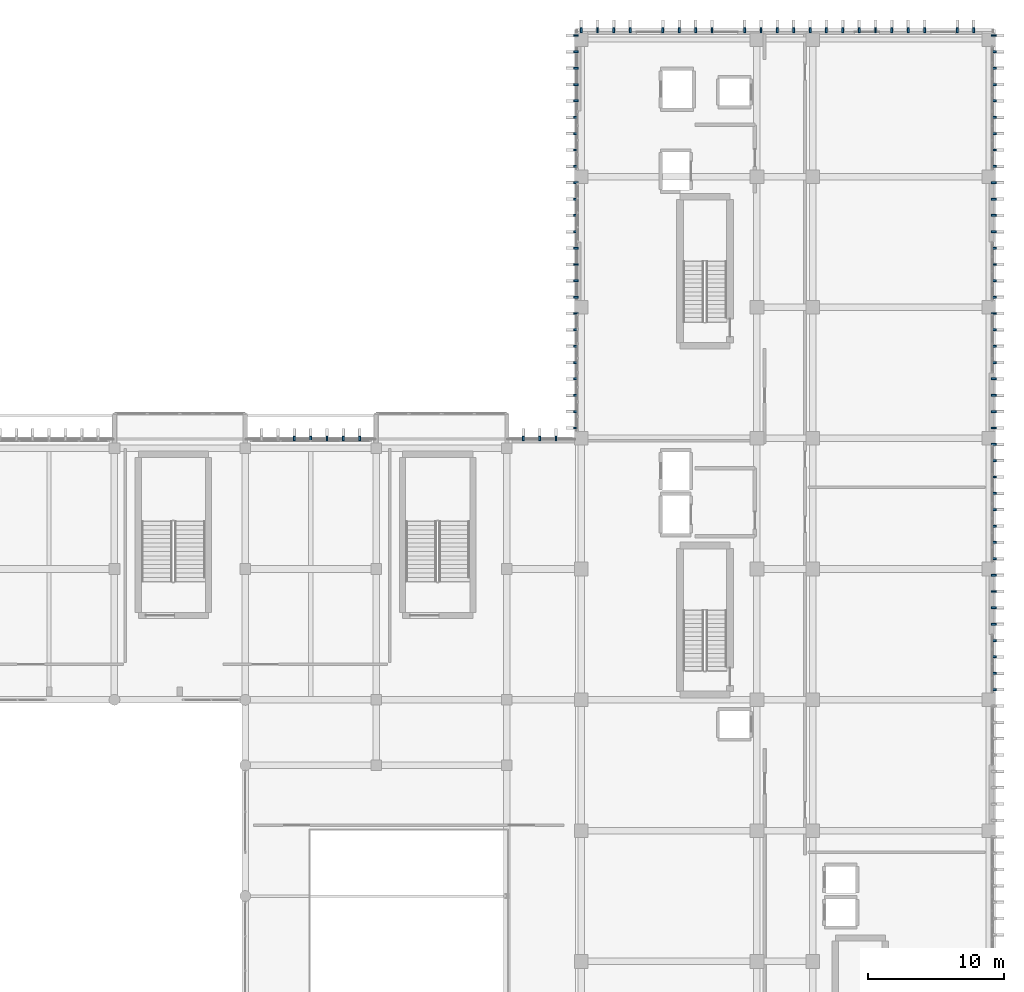
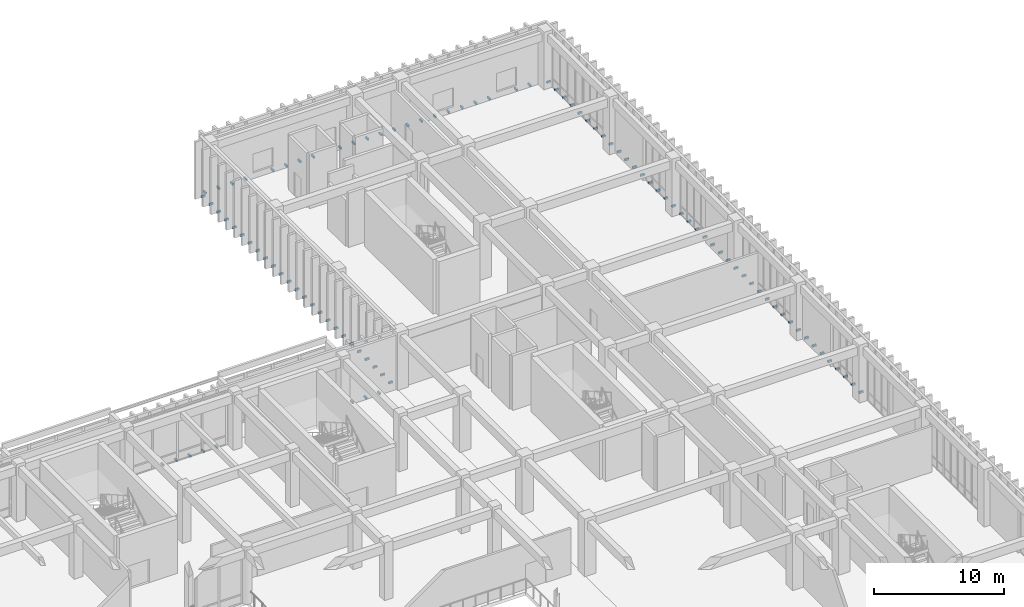
# One storey, part 115 of 134: 96 discrete accessories.
"""IFC4 building model written with IfcOpenShell, lengths in metres."""

from ifc_helpers import new_model, si_unit, direction, frame, origin, origin_2d, place, context, subcontext, project, spatial, rectangle, extrude, material, type_object, element, save


model = new_model("IFC4")

# Units and contexts
model_context = context("Model", 3, precision=1e-05, world=origin(), true_north=direction((0.0, 1.0)))
body_context = subcontext(model_context, "Body", "Model", "MODEL_VIEW")
ifc_project = project(units=[si_unit("LENGTHUNIT", "METRE"), si_unit("AREAUNIT", "SQUARE_METRE"), si_unit("VOLUMEUNIT", "CUBIC_METRE"), si_unit("PLANEANGLEUNIT", "RADIAN"), si_unit("MASSUNIT", "GRAM", prefix="KILO")], contexts=[model_context])

# Site, building, storey
site_placement = place(None, origin())
site = spatial("IfcSite", under=ifc_project, at=site_placement, CompositionType="ELEMENT")
building_placement = place(site_placement, origin())
building = spatial("IfcBuilding", under=site, at=building_placement, Name="Nakhvara Creek Congress Hotel", CompositionType="ELEMENT")
storey_placement = place(building_placement, frame((0.0, 0.0, 6.0)))
storey = spatial("IfcBuildingStorey", under=building, at=storey_placement, Name="L01", CompositionType="ELEMENT", Elevation=6.0)

# Discrete accessories
ifc_material = material(Name="Brushed stainless steel 316L", Category="steel")
discrete_accessory_type = type_object("IfcDiscreteAccessoryType", Name="ACC-BRK-SS316", PredefinedType="BRACKET", material=ifc_material)
for number, where, z_axis, x_axis, name in (
    (1, (128.39990234375, 95.97998046875, -0.10986328125), (0.0, 0.0, 1.0), (1.0, 0.0, 0.0), "Stainless Fin Bracket BK01-0209"),
    (2, (129.60009765625, 95.97998046875, -0.10986328125), (0.0, 0.0, 1.0), (1.0, 0.0, 0.0), "Stainless Fin Bracket BK01-0210"),
    (3, (130.800048828125, 95.97998046875, -0.10986328125), (0.0, 0.0, 1.0), (1.0, 0.0, 0.0), "Stainless Fin Bracket BK01-0211"),
    (4, (132.0, 95.97998046875, -0.10986328125), (0.0, 0.0, 1.0), (1.0, 0.0, 0.0), "Stainless Fin Bracket BK01-0212"),
    (5, (133.199951171875, 95.97998046875, -0.10986328125), (0.0, 0.0, 1.0), (1.0, 0.0, 0.0), "Stainless Fin Bracket BK01-0213"),
    (6, (145.199951171875, 95.97998046875, -0.10986328125), (0.0, 0.0, 1.0), (1.0, 0.0, 0.0), "Stainless Fin Bracket BK01-0214"),
    (7, (146.39990234375, 95.97998046875, -0.10986328125), (0.0, 0.0, 1.0), (1.0, 0.0, 0.0), "Stainless Fin Bracket BK01-0215"),
    (8, (147.60009765625, 95.97998046875, -0.10986328125), (0.0, 0.0, 1.0), (1.0, 0.0, 0.0), "Stainless Fin Bracket BK01-0216"),
    (9, (179.72998046875, 77.550048828125, -0.10986328125), (0.0, 0.0, 1.0), (0.0, 1.0, 0.0), "Stainless Fin Bracket BK01-0606"),
    (10, (179.72998046875, 78.75, -0.10986328125), (0.0, 0.0, 1.0), (0.0, 1.0, 0.0), "Stainless Fin Bracket BK01-0607"),
    (11, (179.72998046875, 79.949951171875, -0.10986328125), (0.0, 0.0, 1.0), (0.0, 1.0, 0.0), "Stainless Fin Bracket BK01-0608"),
    (12, (179.72998046875, 81.14990234375, -0.10986328125), (0.0, 0.0, 1.0), (0.0, 1.0, 0.0), "Stainless Fin Bracket BK01-0609"),
    (13, (179.72998046875, 82.35009765625, -0.10986328125), (0.0, 0.0, 1.0), (0.0, 1.0, 0.0), "Stainless Fin Bracket BK01-0610"),
    (14, (179.72998046875, 83.550048828125, -0.10986328125), (0.0, 0.0, 1.0), (0.0, 1.0, 0.0), "Stainless Fin Bracket BK01-0611"),
    (15, (179.72998046875, 84.75, -0.10986328125), (0.0, 0.0, 1.0), (0.0, 1.0, 0.0), "Stainless Fin Bracket BK01-0612"),
    (16, (179.72998046875, 85.949951171875, -0.10986328125), (0.0, 0.0, 1.0), (0.0, 1.0, 0.0), "Stainless Fin Bracket BK01-0613"),
    (17, (179.72998046875, 87.14990234375, -0.10986328125), (0.0, 0.0, 1.0), (0.0, 1.0, 0.0), "Stainless Fin Bracket BK01-0614"),
    (18, (179.72998046875, 88.35009765625, -0.10986328125), (0.0, 0.0, 1.0), (0.0, 1.0, 0.0), "Stainless Fin Bracket BK01-0615"),
    (19, (179.72998046875, 89.550048828125, -0.10986328125), (0.0, 0.0, 1.0), (0.0, 1.0, 0.0), "Stainless Fin Bracket BK01-0616"),
    (20, (179.72998046875, 90.75, -0.10986328125), (0.0, 0.0, 1.0), (0.0, 1.0, 0.0), "Stainless Fin Bracket BK01-0617"),
    (21, (179.72998046875, 91.949951171875, -0.10986328125), (0.0, 0.0, 1.0), (0.0, 1.0, 0.0), "Stainless Fin Bracket BK01-0618"),
    (22, (179.72998046875, 93.14990234375, -0.10986328125), (0.0, 0.0, 1.0), (0.0, 1.0, 0.0), "Stainless Fin Bracket BK01-0619"),
    (23, (179.72998046875, 94.35009765625, -0.10986328125), (0.0, 0.0, 1.0), (0.0, 1.0, 0.0), "Stainless Fin Bracket BK01-0620"),
    (24, (179.72998046875, 95.550048828125, -0.10986328125), (0.0, 0.0, 1.0), (0.0, 1.0, 0.0), "Stainless Fin Bracket BK01-0621"),
    (25, (179.72998046875, 96.75, -0.10986328125), (0.0, 0.0, 1.0), (0.0, 1.0, 0.0), "Stainless Fin Bracket BK01-0622"),
    (26, (149.070068359375, 96.75, -0.10986328125), (0.0, 0.0, 1.0), (0.0, 1.0, 0.0), "Stainless Fin Bracket BK01-0623"),
    (27, (179.72998046875, 97.949951171875, -0.10986328125), (0.0, 0.0, 1.0), (0.0, 1.0, 0.0), "Stainless Fin Bracket BK01-0624"),
    (28, (149.070068359375, 97.949951171875, -0.10986328125), (0.0, 0.0, 1.0), (0.0, 1.0, 0.0), "Stainless Fin Bracket BK01-0625"),
    (29, (179.72998046875, 99.14990234375, -0.10986328125), (0.0, 0.0, 1.0), (0.0, 1.0, 0.0), "Stainless Fin Bracket BK01-0626"),
    (30, (149.070068359375, 99.14990234375, -0.10986328125), (0.0, 0.0, 1.0), (0.0, 1.0, 0.0), "Stainless Fin Bracket BK01-0627"),
    (31, (179.72998046875, 100.35009765625, -0.10986328125), (0.0, 0.0, 1.0), (0.0, 1.0, 0.0), "Stainless Fin Bracket BK01-0628"),
    (32, (149.070068359375, 100.35009765625, -0.10986328125), (0.0, 0.0, 1.0), (0.0, 1.0, 0.0), "Stainless Fin Bracket BK01-0629"),
    (33, (179.72998046875, 101.550048828125, -0.10986328125), (0.0, 0.0, 1.0), (0.0, 1.0, 0.0), "Stainless Fin Bracket BK01-0630"),
    (34, (149.070068359375, 101.550048828125, -0.10986328125), (0.0, 0.0, 1.0), (0.0, 1.0, 0.0), "Stainless Fin Bracket BK01-0631"),
    (35, (179.72998046875, 102.75, -0.10986328125), (0.0, 0.0, 1.0), (0.0, 1.0, 0.0), "Stainless Fin Bracket BK01-0632"),
    (36, (149.070068359375, 102.75, -0.10986328125), (0.0, 0.0, 1.0), (0.0, 1.0, 0.0), "Stainless Fin Bracket BK01-0633"),
    (37, (179.72998046875, 103.949951171875, -0.10986328125), (0.0, 0.0, 1.0), (0.0, 1.0, 0.0), "Stainless Fin Bracket BK01-0634"),
    (38, (149.070068359375, 103.949951171875, -0.10986328125), (0.0, 0.0, 1.0), (0.0, 1.0, 0.0), "Stainless Fin Bracket BK01-0635"),
    (39, (179.72998046875, 105.14990234375, -0.10986328125), (0.0, 0.0, 1.0), (0.0, 1.0, 0.0), "Stainless Fin Bracket BK01-0636"),
    (40, (149.070068359375, 105.14990234375, -0.10986328125), (0.0, 0.0, 1.0), (0.0, 1.0, 0.0), "Stainless Fin Bracket BK01-0637"),
    (41, (179.72998046875, 106.35009765625, -0.10986328125), (0.0, 0.0, 1.0), (0.0, 1.0, 0.0), "Stainless Fin Bracket BK01-0638"),
    (42, (149.070068359375, 106.35009765625, -0.10986328125), (0.0, 0.0, 1.0), (0.0, 1.0, 0.0), "Stainless Fin Bracket BK01-0639"),
    (43, (179.72998046875, 107.550048828125, -0.10986328125), (0.0, 0.0, 1.0), (0.0, 1.0, 0.0), "Stainless Fin Bracket BK01-0640"),
    (44, (149.070068359375, 107.550048828125, -0.10986328125), (0.0, 0.0, 1.0), (0.0, 1.0, 0.0), "Stainless Fin Bracket BK01-0641"),
    (45, (179.72998046875, 108.75, -0.10986328125), (0.0, 0.0, 1.0), (0.0, 1.0, 0.0), "Stainless Fin Bracket BK01-0642"),
    (46, (149.070068359375, 108.75, -0.10986328125), (0.0, 0.0, 1.0), (0.0, 1.0, 0.0), "Stainless Fin Bracket BK01-0643"),
    (47, (179.72998046875, 109.949951171875, -0.10986328125), (0.0, 0.0, 1.0), (0.0, 1.0, 0.0), "Stainless Fin Bracket BK01-0644"),
    (48, (149.070068359375, 109.949951171875, -0.10986328125), (0.0, 0.0, 1.0), (0.0, 1.0, 0.0), "Stainless Fin Bracket BK01-0645"),
    (49, (179.72998046875, 111.14990234375, -0.10986328125), (0.0, 0.0, 1.0), (0.0, 1.0, 0.0), "Stainless Fin Bracket BK01-0646"),
    (50, (149.070068359375, 111.14990234375, -0.10986328125), (0.0, 0.0, 1.0), (0.0, 1.0, 0.0), "Stainless Fin Bracket BK01-0647"),
    (51, (179.72998046875, 112.35009765625, -0.10986328125), (0.0, 0.0, 1.0), (0.0, 1.0, 0.0), "Stainless Fin Bracket BK01-0648"),
    (52, (149.070068359375, 112.35009765625, -0.10986328125), (0.0, 0.0, 1.0), (0.0, 1.0, 0.0), "Stainless Fin Bracket BK01-0649"),
    (53, (179.72998046875, 113.550048828125, -0.10986328125), (0.0, 0.0, 1.0), (0.0, 1.0, 0.0), "Stainless Fin Bracket BK01-0650"),
    (54, (149.070068359375, 113.550048828125, -0.10986328125), (0.0, 0.0, 1.0), (0.0, 1.0, 0.0), "Stainless Fin Bracket BK01-0651"),
    (55, (179.72998046875, 114.75, -0.10986328125), (0.0, 0.0, 1.0), (0.0, 1.0, 0.0), "Stainless Fin Bracket BK01-0652"),
    (56, (149.070068359375, 114.75, -0.10986328125), (0.0, 0.0, 1.0), (0.0, 1.0, 0.0), "Stainless Fin Bracket BK01-0653"),
    (57, (179.72998046875, 115.949951171875, -0.10986328125), (0.0, 0.0, 1.0), (0.0, 1.0, 0.0), "Stainless Fin Bracket BK01-0654"),
    (58, (149.070068359375, 115.949951171875, -0.10986328125), (0.0, 0.0, 1.0), (0.0, 1.0, 0.0), "Stainless Fin Bracket BK01-0655"),
    (59, (179.72998046875, 117.14990234375, -0.10986328125), (0.0, 0.0, 1.0), (0.0, 1.0, 0.0), "Stainless Fin Bracket BK01-0656"),
    (60, (149.070068359375, 117.14990234375, -0.10986328125), (0.0, 0.0, 1.0), (0.0, 1.0, 0.0), "Stainless Fin Bracket BK01-0657"),
    (61, (179.72998046875, 118.35009765625, -0.10986328125), (0.0, 0.0, 1.0), (0.0, 1.0, 0.0), "Stainless Fin Bracket BK01-0658"),
    (62, (149.070068359375, 118.35009765625, -0.10986328125), (0.0, 0.0, 1.0), (0.0, 1.0, 0.0), "Stainless Fin Bracket BK01-0659"),
    (63, (179.72998046875, 119.550048828125, -0.10986328125), (0.0, 0.0, 1.0), (0.0, 1.0, 0.0), "Stainless Fin Bracket BK01-0660"),
    (64, (149.070068359375, 119.550048828125, -0.10986328125), (0.0, 0.0, 1.0), (0.0, 1.0, 0.0), "Stainless Fin Bracket BK01-0661"),
    (65, (179.72998046875, 120.75, -0.10986328125), (0.0, 0.0, 1.0), (0.0, 1.0, 0.0), "Stainless Fin Bracket BK01-0662"),
    (66, (149.070068359375, 120.75, -0.10986328125), (0.0, 0.0, 1.0), (0.0, 1.0, 0.0), "Stainless Fin Bracket BK01-0663"),
    (67, (179.72998046875, 121.949951171875, -0.10986328125), (0.0, 0.0, 1.0), (0.0, 1.0, 0.0), "Stainless Fin Bracket BK01-0664"),
    (68, (149.070068359375, 121.949951171875, -0.10986328125), (0.0, 0.0, 1.0), (0.0, 1.0, 0.0), "Stainless Fin Bracket BK01-0665"),
    (69, (179.72998046875, 123.14990234375, -0.10986328125), (0.0, 0.0, 1.0), (0.0, 1.0, 0.0), "Stainless Fin Bracket BK01-0666"),
    (70, (149.070068359375, 123.14990234375, -0.10986328125), (0.0, 0.0, 1.0), (0.0, 1.0, 0.0), "Stainless Fin Bracket BK01-0667"),
    (71, (179.72998046875, 124.35009765625, -0.10986328125), (0.0, 0.0, 1.0), (0.0, 1.0, 0.0), "Stainless Fin Bracket BK01-0668"),
    (72, (149.070068359375, 124.35009765625, -0.10986328125), (0.0, 0.0, 1.0), (0.0, 1.0, 0.0), "Stainless Fin Bracket BK01-0669"),
    (73, (179.72998046875, 125.550048828125, -0.10986328125), (0.0, 0.0, 1.0), (0.0, 1.0, 0.0), "Stainless Fin Bracket BK01-0670"),
    (74, (149.070068359375, 125.550048828125, -0.10986328125), (0.0, 0.0, 1.0), (0.0, 1.0, 0.0), "Stainless Fin Bracket BK01-0671"),
    (75, (149.449951171875, 125.93994140625, -0.10986328125), (0.0, 0.0, 1.0), (1.0, 0.0, 0.0), "Stainless Fin Bracket BK01-0672"),
    (76, (150.64990234375, 125.93994140625, -0.10986328125), (0.0, 0.0, 1.0), (1.0, 0.0, 0.0), "Stainless Fin Bracket BK01-0674"),
    (77, (151.85009765625, 125.93994140625, -0.10986328125), (0.0, 0.0, 1.0), (1.0, 0.0, 0.0), "Stainless Fin Bracket BK01-0676"),
    (78, (153.050048828125, 125.93994140625, -0.10986328125), (0.0, 0.0, 1.0), (1.0, 0.0, 0.0), "Stainless Fin Bracket BK01-0678"),
    (79, (155.449951171875, 125.93994140625, -0.10986328125), (0.0, 0.0, 1.0), (1.0, 0.0, 0.0), "Stainless Fin Bracket BK01-0681"),
    (80, (156.64990234375, 125.93994140625, -0.10986328125), (0.0, 0.0, 1.0), (1.0, 0.0, 0.0), "Stainless Fin Bracket BK01-0683"),
    (81, (157.85009765625, 125.93994140625, -0.10986328125), (0.0, 0.0, 1.0), (1.0, 0.0, 0.0), "Stainless Fin Bracket BK01-0685"),
    (82, (159.050048828125, 125.93994140625, -0.10986328125), (0.0, 0.0, 1.0), (1.0, 0.0, 0.0), "Stainless Fin Bracket BK01-0687"),
    (83, (161.449951171875, 125.93994140625, -0.10986328125), (0.0, 0.0, 1.0), (1.0, 0.0, 0.0), "Stainless Fin Bracket BK01-0690"),
    (84, (162.64990234375, 125.93994140625, -0.10986328125), (0.0, 0.0, 1.0), (1.0, 0.0, 0.0), "Stainless Fin Bracket BK01-0692"),
    (85, (163.85009765625, 125.93994140625, -0.10986328125), (0.0, 0.0, 1.0), (1.0, 0.0, 0.0), "Stainless Fin Bracket BK01-0694"),
    (86, (165.050048828125, 125.93994140625, -0.10986328125), (0.0, 0.0, 1.0), (1.0, 0.0, 0.0), "Stainless Fin Bracket BK01-0696"),
    (87, (166.25, 125.93994140625, -0.10986328125), (0.0, 0.0, 1.0), (1.0, 0.0, 0.0), "Stainless Fin Bracket BK01-0698"),
    (88, (167.449951171875, 125.93994140625, -0.10986328125), (0.0, 0.0, 1.0), (1.0, 0.0, 0.0), "Stainless Fin Bracket BK01-0700"),
    (89, (168.64990234375, 125.93994140625, -0.10986328125), (0.0, 0.0, 1.0), (1.0, 0.0, 0.0), "Stainless Fin Bracket BK01-0702"),
    (90, (169.85009765625, 125.93994140625, -0.10986328125), (0.0, 0.0, 1.0), (1.0, 0.0, 0.0), "Stainless Fin Bracket BK01-0703"),
    (91, (171.050048828125, 125.93994140625, -0.10986328125), (0.0, 0.0, 1.0), (1.0, 0.0, 0.0), "Stainless Fin Bracket BK01-0705"),
    (92, (172.25, 125.93994140625, -0.10986328125), (0.0, 0.0, 1.0), (1.0, 0.0, 0.0), "Stainless Fin Bracket BK01-0707"),
    (93, (173.449951171875, 125.93994140625, -0.10986328125), (0.0, 0.0, 1.0), (1.0, 0.0, 0.0), "Stainless Fin Bracket BK01-0709"),
    (94, (174.64990234375, 125.93994140625, -0.10986328125), (0.0, 0.0, 1.0), (1.0, 0.0, 0.0), "Stainless Fin Bracket BK01-0711"),
    (95, (177.050048828125, 125.93994140625, -0.10986328125), (0.0, 0.0, 1.0), (1.0, 0.0, 0.0), "Stainless Fin Bracket BK01-0714"),
    (96, (178.25, 125.93994140625, -0.10986328125), (0.0, 0.0, 1.0), (1.0, 0.0, 0.0), "Stainless Fin Bracket BK01-0716"),
):
    element("IfcDiscreteAccessory", number, at=place(storey_placement, frame(where, z_axis=z_axis, x_axis=x_axis)), inside=storey, type_object=discrete_accessory_type, Name=name, PredefinedType="BRACKET", context=body_context, shape_type="SweptSolid", body=[
        extrude(rectangle(XDim=0.139892578125, YDim=0.360107421875, at=origin_2d()), origin(), (0.0, 0.0, 1.0), 0.179931640625),
    ])

save(model, "model.ifc")
